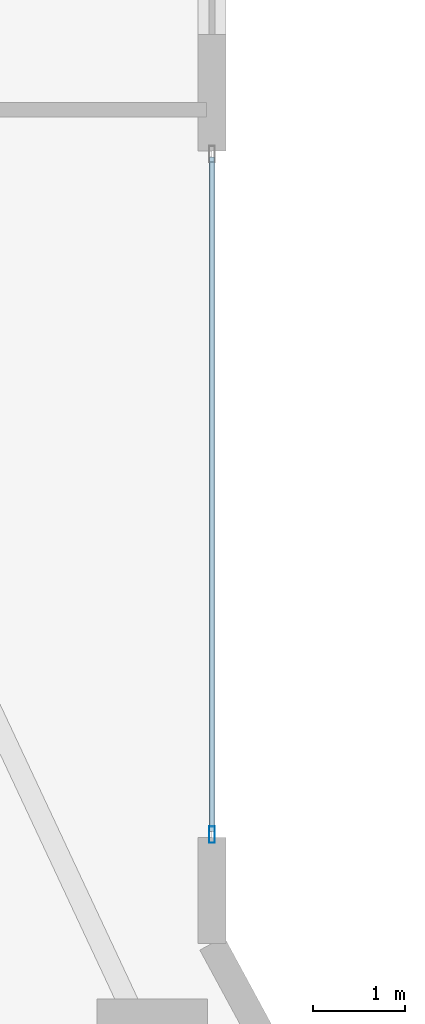
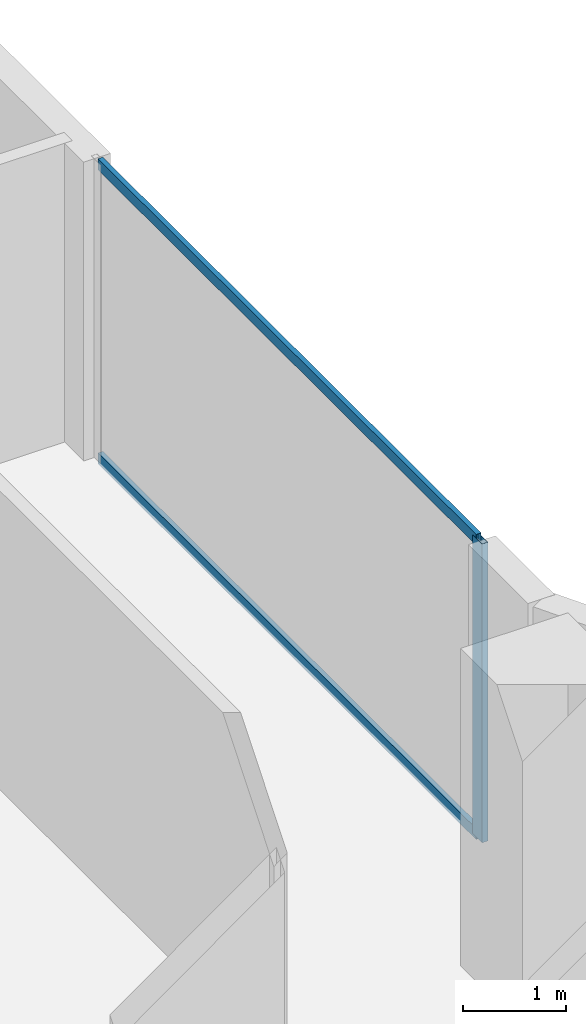
# One storey, part 14 of 32: 3 members, 1 element without a shape of its own.
"""IFC4 building model written with IfcOpenShell, lengths in metres."""

from ifc_helpers import new_model, si_unit, direction, frame, origin, origin_2d, place, context, subcontext, project, spatial, hollow_rectangle, extrude, material, layer, layer_set, material_profile, profile_set, type_object, element, aggregate, save


model = new_model("IFC4")

# Units and contexts
model_context = context("Model", 3, precision=1e-05, world=origin(), true_north=direction((0.0, 1.0)))
body_context = subcontext(model_context, "Body", "Model", "MODEL_VIEW")
ifc_project = project(units=[si_unit("LENGTHUNIT", "METRE"), si_unit("AREAUNIT", "SQUARE_METRE"), si_unit("VOLUMEUNIT", "CUBIC_METRE"), si_unit("PLANEANGLEUNIT", "RADIAN"), si_unit("MASSUNIT", "GRAM", prefix="KILO")], contexts=[model_context])

# Site, building, storey
site_placement = place(None, origin())
site = spatial("IfcSite", under=ifc_project, at=site_placement, CompositionType="ELEMENT")
building_placement = place(site_placement, origin())
building = spatial("IfcBuilding", under=site, at=building_placement, Name="Zuhayl Quay Hotel", CompositionType="ELEMENT")
storey_placement = place(building_placement, frame((0.0, 0.0, 192.39990234375)))
storey = spatial("IfcBuildingStorey", under=building, at=storey_placement, Name="L48", CompositionType="ELEMENT", Elevation=192.39990234375)

# Curtain wall, members
ifc_material_1 = material(Name="Anodised Aluminium 6063-T6", Category="aluminium")
ifc_layer = layer(ifc_material_1, 0.175048828125, Name="Anodised Aluminium 6063-T6", Category="aluminium")
ifc_layer_set = layer_set([ifc_layer], Name="Anodised Aluminium 6063-T6")
curtain_wall_type = type_object("IfcCurtainWallType", Name="CW_SYS_Z3", PredefinedType="USERDEFINED", material=ifc_layer_set)
curtain_wall_placement = place(storey_placement, origin())
curtain_wall = element("IfcCurtainWall", 1, at=curtain_wall_placement, inside=storey, type_object=curtain_wall_type, Name="L48 Curtain Wall ENV_L48_E11_CW1", ObjectType="UNITISED CURTAIN WALL", PredefinedType="USERDEFINED")
ifc_material_2 = material(Name="Black-anodised aluminium 6063-T6", Category="aluminium")
ifc_material_profile_1 = material_profile(ifc_material_2, hollow_rectangle(XDim=0.06494140625, YDim=0.179931640625, WallThickness=0.00341796875, at=origin_2d()), Name="ALU180X65")
ifc_profile_set_1 = profile_set([ifc_material_profile_1], Name="Black-anodised aluminium 6063-T6")
member_type_1 = type_object("IfcMemberType", Name="MB_CW_MUL_180", PredefinedType="MULLION", material=ifc_profile_set_1)
member_1_placement = place(storey_placement, frame((22.10009765625, 18.982421875, 0.0), z_axis=(0.0, 0.0, 1.0), x_axis=(1.0, 0.0, 0.0)))
member_1 = element("IfcMember", 2, at=member_1_placement, type_object=member_type_1, Name="CW-Z3 mullion 2", PredefinedType="MULLION", context=body_context, shape_type="SweptSolid", body=[
    extrude(hollow_rectangle(XDim=0.06494140625, YDim=0.179931640625, WallThickness=0.00341796875, at=origin_2d()), origin(), (0.0, 0.0, 1.0), 3.530029296875),
])
ifc_material_profile_2 = material_profile(ifc_material_2, hollow_rectangle(XDim=0.054931640625, YDim=0.1298828125, WallThickness=0.0029296875, at=origin_2d()), Name="ALU130X55")
ifc_profile_set_2 = profile_set([ifc_material_profile_2], Name="Black-anodised aluminium 6063-T6")
member_type_2 = type_object("IfcMemberType", Name="MB_CW_TRN_130", PredefinedType="USERDEFINED", material=ifc_profile_set_2)
member_2_placement = place(storey_placement, frame((22.10009765625, 26.3349609375, 0.027587890625), z_axis=(0.0, -1.0, 0.0), x_axis=(1.0, 0.0, 0.0)))
member_2 = element("IfcMember", 3, at=member_2_placement, type_object=member_type_2, Name="CW-Z3 transom 1.1", ObjectType="TRANSOM", PredefinedType="USERDEFINED", context=body_context, shape_type="SweptSolid", body=[
    extrude(hollow_rectangle(XDim=0.054931640625, YDim=0.1298828125, WallThickness=0.0029296875, at=origin_2d()), origin(), (0.0, 0.0, 1.0), 7.320068359375),
])
member_3_placement = place(storey_placement, frame((22.10009765625, 26.3349609375, 3.502685546875), z_axis=(0.0, -1.0, 0.0), x_axis=(1.0, 0.0, 0.0)))
member_3 = element("IfcMember", 4, at=member_3_placement, type_object=member_type_2, Name="CW-Z3 transom 1.2", ObjectType="TRANSOM", PredefinedType="USERDEFINED", context=body_context, shape_type="SweptSolid", body=[
    extrude(hollow_rectangle(XDim=0.054931640625, YDim=0.1298828125, WallThickness=0.0029296875, at=origin_2d()), origin(), (0.0, 0.0, 1.0), 7.320068359375),
])
aggregate(curtain_wall, [member_1, member_2, member_3])

save(model, "model.ifc")
